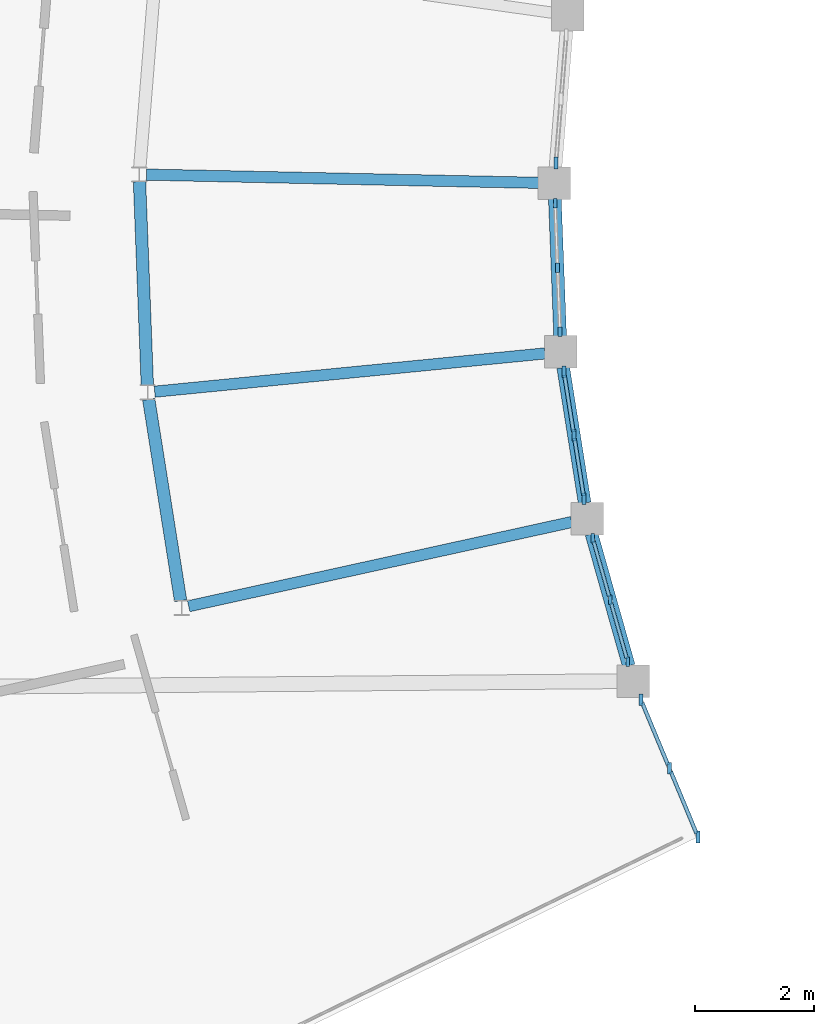
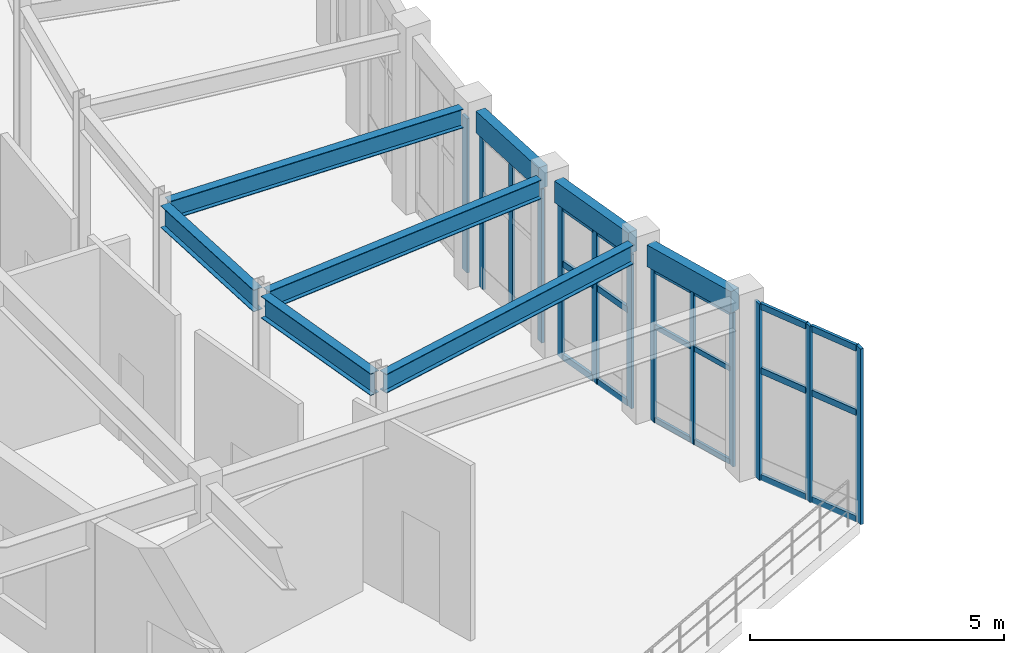
# One storey, part 38 of 112: 31 members, 8 beams, 5 elements without a shape of their own.
"""IFC4 building model written with IfcOpenShell, lengths in metres."""

import ifcopenshell
import ifcopenshell.guid

model = None  # the IFC model being written
_history = None  # IfcOwnerHistory: only IFC2X3 demands one
_inside = {}  # id of a spatial element -> (the spatial element, [elements in it])
_under = {}  # id of a project, library or spatial element -> (it, [spatial elements below it])
_declared = {}  # id of a project -> (the project, [libraries it declares])
_typed = {}  # id of a type object -> (the type object, [elements of that type])
_made_of = {}  # id of a material, layer set ... -> (it, [elements and type objects made of it])


def new_model(schema):
    """Start an empty IFC model of exactly this schema.

    Asked for "IFC4X3", IfcOpenShell would pick the latest addendum, in which some entities
    have other attributes; the version numbers below select the first issue.
    IFC2X3 requires an IfcOwnerHistory on every rooted entity: one is made here for all.
    """
    global model, _history
    if schema == "IFC4X3":
        model = ifcopenshell.file(schema_version=(4, 3, 0, 0))
    else:
        model = ifcopenshell.file(schema=schema)
    _inside.clear()
    _under.clear()
    _declared.clear()
    _typed.clear()
    _made_of.clear()
    _history = None
    if model.schema == "IFC2X3":
        org = make("IfcOrganization", Name="unknown")
        user = make(
            "IfcPersonAndOrganization",
            ThePerson=make("IfcPerson", FamilyName="unknown"),
            TheOrganization=org,
        )
        app = make(
            "IfcApplication",
            ApplicationDeveloper=org,
            Version="unknown",
            ApplicationFullName="unknown",
            ApplicationIdentifier="unknown",
        )
        _history = make(
            "IfcOwnerHistory",
            OwningUser=user,
            OwningApplication=app,
            ChangeAction="ADDED",
            CreationDate=0,
        )
    return model


def make(cls, **values):
    """One entity of the class cls with the attributes given. An attribute that is None is left unset."""
    return model.create_entity(
        cls, **{name: value for name, value in values.items() if value is not None}
    )


def rooted(cls, **values):
    """An entity with a GlobalId (a new one), such as an element, a storey or a relation."""
    return make(cls, GlobalId=ifcopenshell.guid.new(), OwnerHistory=_history, **values)


def si_unit(unit_type, name, prefix=None):
    """IfcSIUnit, for example si_unit("LENGTHUNIT", "METRE", prefix="MILLI")."""
    return make("IfcSIUnit", UnitType=unit_type, Prefix=prefix, Name=name)


def assignment(units):
    """IfcUnitAssignment: the units of a project."""
    return None if units is None else make("IfcUnitAssignment", Units=units)


def point(xyz):
    """IfcCartesianPoint."""
    return None if xyz is None else make("IfcCartesianPoint", Coordinates=xyz)


def direction(xyz):
    """IfcDirection."""
    return None if xyz is None else make("IfcDirection", DirectionRatios=xyz)


def frame(location, z_axis=None, x_axis=None):
    """IfcAxis2Placement3D, a coordinate frame: its origin and axes. An axis left out is left unset."""
    return make(
        "IfcAxis2Placement3D",
        Location=point(location),
        Axis=direction(z_axis),
        RefDirection=direction(x_axis),
    )


def frame_2d(location, x_axis=None):
    """IfcAxis2Placement2D, a coordinate frame in the plane: its origin and x axis."""
    return make(
        "IfcAxis2Placement2D", Location=point(location), RefDirection=direction(x_axis)
    )


def origin():
    """The frame at (0, 0, 0) with its axes left unset."""
    return frame((0.0, 0.0, 0.0))


def origin_2d():
    """The frame at (0, 0) in the plane with its x axis left unset."""
    return frame_2d((0.0, 0.0))


def place(relative_to, where):
    """IfcLocalPlacement: puts the frame where relative to a parent placement (None: the world)."""
    return make(
        "IfcLocalPlacement", PlacementRelTo=relative_to, RelativePlacement=where
    )


def context(
    kind, dimensions, precision=None, world=None, true_north=None, identifier=None
):
    """IfcGeometricRepresentationContext, for example the 3D "Model" context."""
    return make(
        "IfcGeometricRepresentationContext",
        ContextIdentifier=identifier,
        ContextType=kind,
        CoordinateSpaceDimension=dimensions,
        Precision=precision,
        WorldCoordinateSystem=world,
        TrueNorth=true_north,
    )


def subcontext(parent, identifier, kind, view, scale=None):
    """IfcGeometricRepresentationSubContext, for example "Body" below "Model"."""
    return make(
        "IfcGeometricRepresentationSubContext",
        ContextIdentifier=identifier,
        ContextType=kind,
        ParentContext=parent,
        TargetScale=scale,
        TargetView=view,
    )


def project(units=None, contexts=None):
    """IfcProject with its units and contexts."""
    return rooted(
        "IfcProject",
        Name="project",
        RepresentationContexts=contexts,
        UnitsInContext=assignment(units),
    )


def spatial(cls, under=None, at=None, **own):
    """A site, building, storey or space (cls), placed at a placement, below another one or the project."""
    s = rooted(cls, ObjectPlacement=at, **own)
    if under is not None:
        _under.setdefault(under.id(), (under, []))[1].append(s)
    return s


def profile(cls, at=None, kind="AREA", **sizes):
    """A parametric profile (cls). Its sizes go by their IFC names, for example OverallWidth=200.0."""
    return make(cls, ProfileType=kind, Position=at, **sizes)


def rectangle(**sizes):
    """IfcRectangleProfileDef."""
    return profile("IfcRectangleProfileDef", **sizes)


def i_section(**sizes):
    """IfcIShapeProfileDef."""
    return profile("IfcIShapeProfileDef", **sizes)


def extrude(swept, where, along, depth):
    """IfcExtrudedAreaSolid: the profile swept, set in the frame where, extruded along a direction by depth."""
    return make(
        "IfcExtrudedAreaSolid",
        SweptArea=swept,
        Position=where,
        ExtrudedDirection=direction(along),
        Depth=depth,
    )


def shape(context_of_items, identifier, shape_type, items):
    """IfcShapeRepresentation: the items that make up one representation, for example the "Body"."""
    return make(
        "IfcShapeRepresentation",
        ContextOfItems=context_of_items,
        RepresentationIdentifier=identifier,
        RepresentationType=shape_type,
        Items=items,
    )


def material(Name=None, Category=None):
    """IfcMaterial."""
    return make("IfcMaterial", Name=Name, Category=Category)


def material_profile(
    of_material, cross_section, Name=None, Category=None, Priority=None
):
    """IfcMaterialProfile: a cross section and its material."""
    return make(
        "IfcMaterialProfile",
        Name=Name,
        Material=of_material,
        Profile=cross_section,
        Priority=Priority,
        Category=Category,
    )


def profile_set(profiles, Name=None, composite=None):
    """IfcMaterialProfileSet."""
    return make(
        "IfcMaterialProfileSet",
        Name=Name,
        MaterialProfiles=profiles,
        CompositeProfile=composite,
    )


def made_of(thing, what):
    """Note that an element or type object is made of a material, layer set ...; save() writes the relation."""
    if what is not None:
        _made_of.setdefault(what.id(), (what, []))[1].append(thing)
    return thing


def type_object(cls, material=None, **own):
    """A type object (cls), such as IfcWallType, which elements share."""
    return made_of(rooted(cls, **own), material)


def element(
    cls,
    number,
    at=None,
    inside=None,
    cuts=None,
    type_object=None,
    material=None,
    context=None,
    identifier="Body",
    shape_type=None,
    held_by="IfcProductDefinitionShape",
    body=None,
    shapes=None,
    **own,
):
    """One element of the class cls, such as IfcWall. Its Tag is "e" and its number.

    at: its placement. inside: the storey or other place that contains it. cuts: it is an
    opening in that element (IfcRelVoidsElement). A single representation is given by context,
    identifier, shape_type and body (its items); several are given by shapes. held_by: the class
    of the entity that holds the representations. save() writes the other relations.
    """
    e = rooted(cls, Tag="e%d" % number, ObjectPlacement=at, **own)
    if body is not None:
        shapes = [shape(context, identifier, shape_type, body)]
    if shapes is not None:
        e.Representation = make(held_by, Representations=shapes)
    if inside is not None:
        _inside.setdefault(inside.id(), (inside, []))[1].append(e)
    if cuts is not None:
        rooted(
            "IfcRelVoidsElement", RelatingBuildingElement=cuts, RelatedOpeningElement=e
        )
    if type_object is not None:
        _typed.setdefault(type_object.id(), (type_object, []))[1].append(e)
    return made_of(e, material)


def aggregate(whole, parts):
    """IfcRelAggregates: a whole, such as a stair, and the parts it consists of."""
    return rooted("IfcRelAggregates", RelatingObject=whole, RelatedObjects=parts)


def save(model, path):
    """Write the relations noted so far, then the file.

    IfcRelAggregates (storeys below a building ...), IfcRelContainedInSpatialStructure (elements
    in a storey), IfcRelDefinesByType, IfcRelAssociatesMaterial and IfcRelDeclares: one each for
    every whole, place, type object, material and project.
    """
    for whole, parts in _under.values():
        aggregate(whole, parts)
    for where, things in _inside.values():
        rooted(
            "IfcRelContainedInSpatialStructure",
            RelatedElements=things,
            RelatingStructure=where,
        )
    for kind, things in _typed.values():
        rooted("IfcRelDefinesByType", RelatedObjects=things, RelatingType=kind)
    for what, things in _made_of.values():
        rooted("IfcRelAssociatesMaterial", RelatedObjects=things, RelatingMaterial=what)
    for by, libraries in _declared.values():
        rooted("IfcRelDeclares", RelatingContext=by, RelatedDefinitions=libraries)
    model.write(path)


model = new_model("IFC4")

# Units and contexts
model_context = context("Model", 3, precision=1e-05, world=origin(), true_north=direction((0.0, 1.0)))
body_context = subcontext(model_context, "Body", "Model", "MODEL_VIEW")
ifc_project = project(units=[si_unit("LENGTHUNIT", "METRE"), si_unit("AREAUNIT", "SQUARE_METRE"), si_unit("VOLUMEUNIT", "CUBIC_METRE"), si_unit("PLANEANGLEUNIT", "RADIAN"), si_unit("MASSUNIT", "GRAM", prefix="KILO")], contexts=[model_context])

# Site, building, storey
site_placement = place(None, origin())
site = spatial("IfcSite", under=ifc_project, at=site_placement, CompositionType="ELEMENT")
building_placement = place(site_placement, origin())
building = spatial("IfcBuilding", under=site, at=building_placement, Name="Cinderbank Siding Concert Hall", CompositionType="ELEMENT")
storey_placement = place(building_placement, frame((0.0, 0.0, 10.199951171875)))
storey = spatial("IfcBuildingStorey", under=building, at=storey_placement, Name="L03", CompositionType="ELEMENT", Elevation=10.199951171875)

# Beams
ifc_material_1 = material(Name="Structural steel AS/NZS 3679.1 Grade 350 (340 MPa)", Category="steel")
ifc_material_profile_1 = material_profile(ifc_material_1, i_section(OverallWidth=0.18994140625, OverallDepth=0.45751953125, WebThickness=0.009033203125, FlangeThickness=0.014404296875, at=origin_2d()), Name="460UB74.6", Category="LoadBearing")
ifc_profile_set_1 = profile_set([ifc_material_profile_1], Name="Structural steel AS/NZS 3679.1 Grade 350 (340 MPa)")
beam_type_1 = type_object("IfcBeamType", Name="BM-UB460 460UB74.6", PredefinedType="BEAM", material=ifc_profile_set_1)
for number, where, z_axis, x_axis, name in (
    (1, (31.73828125, 68.50830078125, 4.013427734375), (-0.999780889106, 0.020932600869, 0.0), (-0.020932600869, -0.999780889106, 0.0), "L03 Beam BM-UB460 #1014"),
    (2, (31.848876953125, 65.6318359375, 4.013427734375), (-0.99522831424, -0.097573574988, 0.0), (0.097573574988, -0.99522831424, 0.0), "L03 Beam BM-UB460 #1017"),
    (3, (32.299072265625, 62.7890625, 4.013427734375), (-0.976668476388, -0.214752618679, 0.0), (0.214752618679, -0.976668476388, 0.0), "L03 Beam BM-UB460 #1020"),
):
    element("IfcBeam", number, at=place(storey_placement, frame(where, z_axis=z_axis, x_axis=x_axis)), inside=storey, type_object=beam_type_1, Name=name, PredefinedType="BEAM", context=body_context, shape_type="SweptSolid", body=[
        extrude(i_section(OverallWidth=0.18994140625, OverallDepth=0.45751953125, WebThickness=0.009033203125, FlangeThickness=0.014404296875, at=origin_2d()), origin(), (0.0, 0.0, 1.0), 6.613037109375),
    ])
ifc_material_profile_2 = material_profile(ifc_material_1, i_section(OverallWidth=0.208984375, OverallDepth=0.5283203125, WebThickness=0.009521484375, FlangeThickness=0.01318359375, at=origin_2d()), Name="530UB82.0", Category="LoadBearing")
ifc_profile_set_2 = profile_set([ifc_material_profile_2], Name="Structural steel AS/NZS 3679.1 Grade 350 (340 MPa)")
beam_type_2 = type_object("IfcBeamType", Name="BM-UB530 530UB82.0", PredefinedType="BEAM", material=ifc_profile_set_2)
for number, where, z_axis, x_axis, name in (
    (4, (25.011474609375, 68.529296875, 3.97802734375), (0.038356740057, -0.999264109479, 0.0), (0.999264109479, 0.038356740057, 0.0), "L03 Beam BM-UB530 #1016"),
    (5, (25.166748046875, 64.8564453125, 3.97802734375), (0.15641120725, -0.987692023986, 0.0), (0.987692023986, 0.15641120725, 0.0), "L03 Beam BM-UB530 #1019"),
):
    element("IfcBeam", number, at=place(storey_placement, frame(where, z_axis=z_axis, x_axis=x_axis)), inside=storey, type_object=beam_type_2, Name=name, PredefinedType="BEAM", context=body_context, shape_type="SweptSolid", body=[
        extrude(i_section(OverallWidth=0.208984375, OverallDepth=0.5283203125, WebThickness=0.009521484375, FlangeThickness=0.01318359375, at=origin_2d()), origin(), (0.0, 0.0, 1.0), 3.43701171875),
    ])

# Curtain wall, members
ifc_material_2 = material(Name="Anodised aluminium alloy 6063-T6", Category="aluminium")
curtain_wall_type_1 = type_object("IfcCurtainWallType", Name="CW-14 Unitised Acoustic Curtain Wall 4200x3800", PredefinedType="NOTDEFINED", material=ifc_material_2)
curtain_wall_1_placement = place(storey_placement, origin())
curtain_wall_1 = element("IfcCurtainWall", 6, at=curtain_wall_1_placement, inside=storey, type_object=curtain_wall_type_1, Name="L03 Curtain Wall CW-14 #134", PredefinedType="NOTDEFINED")
ifc_material_profile_3 = material_profile(ifc_material_2, rectangle(XDim=0.06005859375, YDim=0.159912109375, at=origin_2d()), Name="ALU-MULL-60x160", Category="LoadBearing")
ifc_profile_set_3 = profile_set([ifc_material_profile_3], Name="Anodised aluminium alloy 6063-T6")
member_type_1 = type_object("IfcMemberType", Name="CW-ML1 Mullion 60x160", PredefinedType="MULLION", material=ifc_profile_set_3)
member_1_placement = place(storey_placement, frame((32.018310546875, 68.162841796875, 0.0), z_axis=(0.0, 0.0, 1.0), x_axis=(1.0, 0.0, 0.0)))
member_1 = element("IfcMember", 7, at=member_1_placement, type_object=member_type_1, Name="CW-L03-134 Mullion 0", PredefinedType="MULLION", context=body_context, shape_type="SweptSolid", body=[
    extrude(rectangle(XDim=0.06005859375, YDim=0.159912109375, at=origin_2d()), origin(), (0.0, 0.0, 1.0), 3.70703125),
])
member_2_placement = place(storey_placement, frame((32.059814453125, 67.080322265625, 0.0), z_axis=(0.0, 0.0, 1.0), x_axis=(1.0, 0.0, 0.0)))
member_2 = element("IfcMember", 8, at=member_2_placement, type_object=member_type_1, Name="CW-L03-134 Mullion 1", PredefinedType="MULLION", context=body_context, shape_type="SweptSolid", body=[
    extrude(rectangle(XDim=0.06005859375, YDim=0.159912109375, at=origin_2d()), origin(), (0.0, 0.0, 1.0), 3.70703125),
])
member_3_placement = place(storey_placement, frame((32.1015625, 65.997802734375, 0.0), z_axis=(0.0, 0.0, 1.0), x_axis=(1.0, 0.0, 0.0)))
member_3 = element("IfcMember", 9, at=member_3_placement, type_object=member_type_1, Name="CW-L03-134 Mullion 2", PredefinedType="MULLION", context=body_context, shape_type="SweptSolid", body=[
    extrude(rectangle(XDim=0.06005859375, YDim=0.159912109375, at=origin_2d()), origin(), (0.0, 0.0, 1.0), 3.70703125),
])
aggregate(curtain_wall_1, [member_1, member_2, member_3])

curtain_wall_2_placement = place(storey_placement, origin())
curtain_wall_2 = element("IfcCurtainWall", 10, at=curtain_wall_2_placement, inside=storey, type_object=curtain_wall_type_1, Name="L03 Curtain Wall CW-14 #136", PredefinedType="NOTDEFINED")
member_4_placement = place(storey_placement, frame((32.652587890625, 62.519287109375, 0.0), z_axis=(0.0, 0.0, 1.0), x_axis=(1.0, 0.0, 0.0)))
member_4 = element("IfcMember", 11, at=member_4_placement, type_object=member_type_1, Name="CW-L03-136 Mullion 0", PredefinedType="MULLION", context=body_context, shape_type="SweptSolid", body=[
    extrude(rectangle(XDim=0.06005859375, YDim=0.159912109375, at=origin_2d()), origin(), (0.0, 0.0, 1.0), 3.70703125),
])
member_5_placement = place(storey_placement, frame((32.947509765625, 61.476806640625, 0.0), z_axis=(0.0, 0.0, 1.0), x_axis=(1.0, 0.0, 0.0)))
member_5 = element("IfcMember", 12, at=member_5_placement, type_object=member_type_1, Name="CW-L03-136 Mullion 1", PredefinedType="MULLION", context=body_context, shape_type="SweptSolid", body=[
    extrude(rectangle(XDim=0.06005859375, YDim=0.159912109375, at=origin_2d()), origin(), (0.0, 0.0, 1.0), 3.70703125),
])
member_6_placement = place(storey_placement, frame((33.242431640625, 60.434326171875, 0.0), z_axis=(0.0, 0.0, 1.0), x_axis=(1.0, 0.0, 0.0)))
member_6 = element("IfcMember", 13, at=member_6_placement, type_object=member_type_1, Name="CW-L03-136 Mullion 2", PredefinedType="MULLION", context=body_context, shape_type="SweptSolid", body=[
    extrude(rectangle(XDim=0.06005859375, YDim=0.159912109375, at=origin_2d()), origin(), (0.0, 0.0, 1.0), 3.70703125),
])

# Curtain wall, member
curtain_wall_type_2 = type_object("IfcCurtainWallType", Name="CW-13 Unitised Acoustic Curtain Wall 4200x4400", PredefinedType="NOTDEFINED", material=ifc_material_2)
curtain_wall_3_placement = place(storey_placement, origin())
curtain_wall_3 = element("IfcCurtainWall", 14, at=curtain_wall_3_placement, inside=storey, type_object=curtain_wall_type_2, Name="L03 Curtain Wall CW-13 #133", PredefinedType="NOTDEFINED")
ifc_material_profile_4 = material_profile(ifc_material_2, rectangle(XDim=0.06494140625, YDim=0.199951171875, at=origin_2d()), Name="ALU-MULL-65x200", Category="LoadBearing")
ifc_profile_set_4 = profile_set([ifc_material_profile_4], Name="Anodised aluminium alloy 6063-T6")
member_type_2 = type_object("IfcMemberType", Name="CW-ML2 Mullion 65x200", PredefinedType="MULLION", material=ifc_profile_set_4)
member_7_placement = place(storey_placement, frame((32.03271484375, 68.841552734375, 0.0), z_axis=(0.0, 0.0, 1.0), x_axis=(1.0, 0.0, 0.0)))
member_7 = element("IfcMember", 15, at=member_7_placement, type_object=member_type_2, Name="CW-L03-133 Mullion 2", PredefinedType="MULLION", context=body_context, shape_type="SweptSolid", body=[
    extrude(rectangle(XDim=0.06494140625, YDim=0.199951171875, at=origin_2d()), origin(), (0.0, 0.0, 1.0), 3.70703125),
])
aggregate(curtain_wall_3, [member_7])

# Curtain wall, members
curtain_wall_4_placement = place(storey_placement, origin())
curtain_wall_4 = element("IfcCurtainWall", 16, at=curtain_wall_4_placement, inside=storey, type_object=curtain_wall_type_2, Name="L03 Curtain Wall CW-13 #135", PredefinedType="NOTDEFINED")
member_8_placement = place(storey_placement, frame((32.167724609375, 65.322265625, 0.0), z_axis=(0.0, 0.0, 1.0), x_axis=(1.0, 0.0, 0.0)))
member_8 = element("IfcMember", 17, at=member_8_placement, type_object=member_type_2, Name="CW-L03-135 Mullion 0", PredefinedType="MULLION", context=body_context, shape_type="SweptSolid", body=[
    extrude(rectangle(XDim=0.06494140625, YDim=0.199951171875, at=origin_2d()), origin(), (0.0, 0.0, 1.0), 3.70703125),
])
member_9_placement = place(storey_placement, frame((32.337158203125, 64.252197265625, 0.0), z_axis=(0.0, 0.0, 1.0), x_axis=(1.0, 0.0, 0.0)))
member_9 = element("IfcMember", 18, at=member_9_placement, type_object=member_type_2, Name="CW-L03-135 Mullion 1", PredefinedType="MULLION", context=body_context, shape_type="SweptSolid", body=[
    extrude(rectangle(XDim=0.06494140625, YDim=0.199951171875, at=origin_2d()), origin(), (0.0, 0.0, 1.0), 3.70703125),
])
member_10_placement = place(storey_placement, frame((32.506591796875, 63.18212890625, 0.0), z_axis=(0.0, 0.0, 1.0), x_axis=(1.0, 0.0, 0.0)))
member_10 = element("IfcMember", 19, at=member_10_placement, type_object=member_type_2, Name="CW-L03-135 Mullion 2", PredefinedType="MULLION", context=body_context, shape_type="SweptSolid", body=[
    extrude(rectangle(XDim=0.06494140625, YDim=0.199951171875, at=origin_2d()), origin(), (0.0, 0.0, 1.0), 3.70703125),
])

curtain_wall_5_placement = place(storey_placement, origin())
curtain_wall_5 = element("IfcCurtainWall", 20, at=curtain_wall_5_placement, inside=storey, type_object=curtain_wall_type_2, Name="L03 Curtain Wall CW-13 #137", PredefinedType="NOTDEFINED")
member_11_placement = place(storey_placement, frame((33.4658203125, 59.793212890625, 0.0), z_axis=(0.0, 0.0, 1.0), x_axis=(1.0, 0.0, 0.0)))
member_11 = element("IfcMember", 21, at=member_11_placement, type_object=member_type_2, Name="CW-L03-137 Mullion 0", PredefinedType="MULLION", context=body_context, shape_type="SweptSolid", body=[
    extrude(rectangle(XDim=0.06494140625, YDim=0.199951171875, at=origin_2d()), origin(), (0.0, 0.0, 1.0), 4.22509765625),
])
member_12_placement = place(storey_placement, frame((33.947265625, 58.63623046875, 0.0), z_axis=(0.0, 0.0, 1.0), x_axis=(1.0, 0.0, 0.0)))
member_12 = element("IfcMember", 22, at=member_12_placement, type_object=member_type_2, Name="CW-L03-137 Mullion 1", PredefinedType="MULLION", context=body_context, shape_type="SweptSolid", body=[
    extrude(rectangle(XDim=0.06494140625, YDim=0.199951171875, at=origin_2d()), origin(), (0.0, 0.0, 1.0), 4.22509765625),
])
member_13_placement = place(storey_placement, frame((34.428955078125, 57.47900390625, 0.0), z_axis=(0.0, 0.0, 1.0), x_axis=(1.0, 0.0, 0.0)))
member_13 = element("IfcMember", 23, at=member_13_placement, type_object=member_type_2, Name="CW-L03-137 Mullion 2", PredefinedType="MULLION", context=body_context, shape_type="SweptSolid", body=[
    extrude(rectangle(XDim=0.06494140625, YDim=0.199951171875, at=origin_2d()), origin(), (0.0, 0.0, 1.0), 4.22509765625),
])

# Member
ifc_material_profile_5 = material_profile(ifc_material_2, rectangle(XDim=0.06005859375, YDim=0.1201171875, at=origin_2d()), Name="ALU-TRAN-60x120", Category="LoadBearing")
ifc_profile_set_5 = profile_set([ifc_material_profile_5], Name="Anodised aluminium alloy 6063-T6")
member_type_3 = type_object("IfcMemberType", Name="CW-TR1 Transom 60x120", PredefinedType="USERDEFINED", material=ifc_profile_set_5)
member_14_placement = place(storey_placement, frame((32.667236328125, 62.467041015625, 0.06005859375), z_axis=(0.272173747162, -0.962248123592, 0.0), x_axis=(0.962248123592, 0.272173747162, 0.0)))
member_14 = element("IfcMember", 24, at=member_14_placement, type_object=member_type_3, Name="CW-L03-136 Transom 0-0", ObjectType="TRANSOM", PredefinedType="USERDEFINED", context=body_context, shape_type="SweptSolid", body=[
    extrude(rectangle(XDim=0.06005859375, YDim=0.1201171875, at=origin_2d()), origin(), (0.0, 0.0, 1.0), 0.97509765625),
])

member_15_placement = place(storey_placement, frame((32.667236328125, 62.467041015625, 2.29833984375), z_axis=(0.272173747162, -0.962248123592, 0.0), x_axis=(0.962248123592, 0.272173747162, 0.0)))
member_15 = element("IfcMember", 25, at=member_15_placement, type_object=member_type_3, Name="CW-L03-136 Transom 0-1", ObjectType="TRANSOM", PredefinedType="USERDEFINED", context=body_context, shape_type="SweptSolid", body=[
    extrude(rectangle(XDim=0.06005859375, YDim=0.1201171875, at=origin_2d()), origin(), (0.0, 0.0, 1.0), 0.97509765625),
])

member_16_placement = place(storey_placement, frame((32.667236328125, 62.467041015625, 3.64697265625), z_axis=(0.272173747162, -0.962248123592, 0.0), x_axis=(0.962248123592, 0.272173747162, 0.0)))
member_16 = element("IfcMember", 26, at=member_16_placement, type_object=member_type_3, Name="CW-L03-136 Transom 0-2", ObjectType="TRANSOM", PredefinedType="USERDEFINED", context=body_context, shape_type="SweptSolid", body=[
    extrude(rectangle(XDim=0.06005859375, YDim=0.1201171875, at=origin_2d()), origin(), (0.0, 0.0, 1.0), 0.97509765625),
])

member_17_placement = place(storey_placement, frame((32.962158203125, 61.4248046875, 0.06005859375), z_axis=(0.272405564774, -0.962182523371, 0.0), x_axis=(0.962182523371, 0.272405564774, 0.0)))
member_17 = element("IfcMember", 27, at=member_17_placement, type_object=member_type_3, Name="CW-L03-136 Transom 1-0", ObjectType="TRANSOM", PredefinedType="USERDEFINED", context=body_context, shape_type="SweptSolid", body=[
    extrude(rectangle(XDim=0.06005859375, YDim=0.1201171875, at=origin_2d()), origin(), (0.0, 0.0, 1.0), 0.97509765625),
])

member_18_placement = place(storey_placement, frame((32.962158203125, 61.4248046875, 2.29833984375), z_axis=(0.272405564774, -0.962182523371, 0.0), x_axis=(0.962182523371, 0.272405564774, 0.0)))
member_18 = element("IfcMember", 28, at=member_18_placement, type_object=member_type_3, Name="CW-L03-136 Transom 1-1", ObjectType="TRANSOM", PredefinedType="USERDEFINED", context=body_context, shape_type="SweptSolid", body=[
    extrude(rectangle(XDim=0.06005859375, YDim=0.1201171875, at=origin_2d()), origin(), (0.0, 0.0, 1.0), 0.97509765625),
])

member_19_placement = place(storey_placement, frame((32.962158203125, 61.4248046875, 3.64697265625), z_axis=(0.272405564774, -0.962182523371, 0.0), x_axis=(0.962182523371, 0.272405564774, 0.0)))
member_19 = element("IfcMember", 29, at=member_19_placement, type_object=member_type_3, Name="CW-L03-136 Transom 1-2", ObjectType="TRANSOM", PredefinedType="USERDEFINED", context=body_context, shape_type="SweptSolid", body=[
    extrude(rectangle(XDim=0.06005859375, YDim=0.1201171875, at=origin_2d()), origin(), (0.0, 0.0, 1.0), 0.97509765625),
])

aggregate(curtain_wall_2, [member_4, member_5, member_6, member_14, member_15, member_16, member_17, member_18, member_19])

ifc_material_profile_6 = material_profile(ifc_material_2, rectangle(XDim=0.06494140625, YDim=0.14990234375, at=origin_2d()), Name="ALU-TRAN-65x150", Category="LoadBearing")
ifc_profile_set_6 = profile_set([ifc_material_profile_6], Name="Anodised aluminium alloy 6063-T6")
member_type_4 = type_object("IfcMemberType", Name="CW-TR2 Transom 65x150", PredefinedType="USERDEFINED", material=ifc_profile_set_6)
member_20_placement = place(storey_placement, frame((32.17626953125, 65.268798828125, 0.06005859375), z_axis=(0.156232564152, -0.987720297401, 0.0), x_axis=(0.987720297401, 0.156232564152, 0.0)))
member_20 = element("IfcMember", 30, at=member_20_placement, type_object=member_type_4, Name="CW-L03-135 Transom 0-0", ObjectType="TRANSOM", PredefinedType="USERDEFINED", context=body_context, shape_type="SweptSolid", body=[
    extrude(rectangle(XDim=0.06494140625, YDim=0.14990234375, at=origin_2d()), origin(), (0.0, 0.0, 1.0), 0.97509765625),
])

member_21_placement = place(storey_placement, frame((32.17626953125, 65.268798828125, 2.29833984375), z_axis=(0.156232564152, -0.987720297401, 0.0), x_axis=(0.987720297401, 0.156232564152, 0.0)))
member_21 = element("IfcMember", 31, at=member_21_placement, type_object=member_type_4, Name="CW-L03-135 Transom 0-1", ObjectType="TRANSOM", PredefinedType="USERDEFINED", context=body_context, shape_type="SweptSolid", body=[
    extrude(rectangle(XDim=0.06494140625, YDim=0.14990234375, at=origin_2d()), origin(), (0.0, 0.0, 1.0), 0.97509765625),
])

member_22_placement = place(storey_placement, frame((32.17626953125, 65.268798828125, 3.64697265625), z_axis=(0.156232564152, -0.987720297401, 0.0), x_axis=(0.987720297401, 0.156232564152, 0.0)))
member_22 = element("IfcMember", 32, at=member_22_placement, type_object=member_type_4, Name="CW-L03-135 Transom 0-2", ObjectType="TRANSOM", PredefinedType="USERDEFINED", context=body_context, shape_type="SweptSolid", body=[
    extrude(rectangle(XDim=0.06494140625, YDim=0.14990234375, at=origin_2d()), origin(), (0.0, 0.0, 1.0), 0.97509765625),
])

member_23_placement = place(storey_placement, frame((32.345703125, 64.19873046875, 0.06005859375), z_axis=(0.156476811261, -0.987681632682, 0.0), x_axis=(0.987681632682, 0.156476811261, 0.0)))
member_23 = element("IfcMember", 33, at=member_23_placement, type_object=member_type_4, Name="CW-L03-135 Transom 1-0", ObjectType="TRANSOM", PredefinedType="USERDEFINED", context=body_context, shape_type="SweptSolid", body=[
    extrude(rectangle(XDim=0.06494140625, YDim=0.14990234375, at=origin_2d()), origin(), (0.0, 0.0, 1.0), 0.97509765625),
])

member_24_placement = place(storey_placement, frame((32.345703125, 64.19873046875, 2.29833984375), z_axis=(0.156476811261, -0.987681632682, 0.0), x_axis=(0.987681632682, 0.156476811261, 0.0)))
member_24 = element("IfcMember", 34, at=member_24_placement, type_object=member_type_4, Name="CW-L03-135 Transom 1-1", ObjectType="TRANSOM", PredefinedType="USERDEFINED", context=body_context, shape_type="SweptSolid", body=[
    extrude(rectangle(XDim=0.06494140625, YDim=0.14990234375, at=origin_2d()), origin(), (0.0, 0.0, 1.0), 0.97509765625),
])

member_25_placement = place(storey_placement, frame((32.345703125, 64.19873046875, 3.64697265625), z_axis=(0.156476811261, -0.987681632682, 0.0), x_axis=(0.987681632682, 0.156476811261, 0.0)))
member_25 = element("IfcMember", 35, at=member_25_placement, type_object=member_type_4, Name="CW-L03-135 Transom 1-2", ObjectType="TRANSOM", PredefinedType="USERDEFINED", context=body_context, shape_type="SweptSolid", body=[
    extrude(rectangle(XDim=0.06494140625, YDim=0.14990234375, at=origin_2d()), origin(), (0.0, 0.0, 1.0), 0.97509765625),
])

aggregate(curtain_wall_4, [member_8, member_9, member_10, member_20, member_21, member_22, member_23, member_24, member_25])

member_26_placement = place(storey_placement, frame((33.48974609375, 59.735595703125, 0.06005859375), z_axis=(0.384154313051, -0.923268901114, 0.0), x_axis=(0.923268901114, 0.384154313051, 0.0)))
member_26 = element("IfcMember", 36, at=member_26_placement, type_object=member_type_4, Name="CW-L03-137 Transom 0-0", ObjectType="TRANSOM", PredefinedType="USERDEFINED", context=body_context, shape_type="SweptSolid", body=[
    extrude(rectangle(XDim=0.06494140625, YDim=0.14990234375, at=origin_2d()), origin(), (0.0, 0.0, 1.0), 1.128173828125),
])

member_27_placement = place(storey_placement, frame((33.48974609375, 59.735595703125, 2.61962890625), z_axis=(0.384154313051, -0.923268901114, 0.0), x_axis=(0.923268901114, 0.384154313051, 0.0)))
member_27 = element("IfcMember", 37, at=member_27_placement, type_object=member_type_4, Name="CW-L03-137 Transom 0-1", ObjectType="TRANSOM", PredefinedType="USERDEFINED", context=body_context, shape_type="SweptSolid", body=[
    extrude(rectangle(XDim=0.06494140625, YDim=0.14990234375, at=origin_2d()), origin(), (0.0, 0.0, 1.0), 1.128173828125),
])

member_28_placement = place(storey_placement, frame((33.48974609375, 59.735595703125, 4.1650390625), z_axis=(0.384154313051, -0.923268901114, 0.0), x_axis=(0.923268901114, 0.384154313051, 0.0)))
member_28 = element("IfcMember", 38, at=member_28_placement, type_object=member_type_4, Name="CW-L03-137 Transom 0-2", ObjectType="TRANSOM", PredefinedType="USERDEFINED", context=body_context, shape_type="SweptSolid", body=[
    extrude(rectangle(XDim=0.06494140625, YDim=0.14990234375, at=origin_2d()), origin(), (0.0, 0.0, 1.0), 1.128173828125),
])

member_29_placement = place(storey_placement, frame((33.971435546875, 58.578369140625, 0.06005859375), z_axis=(0.38423108818, -0.923236952725, 0.0), x_axis=(0.923236952725, 0.38423108818, 0.0)))
member_29 = element("IfcMember", 39, at=member_29_placement, type_object=member_type_4, Name="CW-L03-137 Transom 1-0", ObjectType="TRANSOM", PredefinedType="USERDEFINED", context=body_context, shape_type="SweptSolid", body=[
    extrude(rectangle(XDim=0.06494140625, YDim=0.14990234375, at=origin_2d()), origin(), (0.0, 0.0, 1.0), 1.1279296875),
])

member_30_placement = place(storey_placement, frame((33.971435546875, 58.578369140625, 2.61962890625), z_axis=(0.38423108818, -0.923236952725, 0.0), x_axis=(0.923236952725, 0.38423108818, 0.0)))
member_30 = element("IfcMember", 40, at=member_30_placement, type_object=member_type_4, Name="CW-L03-137 Transom 1-1", ObjectType="TRANSOM", PredefinedType="USERDEFINED", context=body_context, shape_type="SweptSolid", body=[
    extrude(rectangle(XDim=0.06494140625, YDim=0.14990234375, at=origin_2d()), origin(), (0.0, 0.0, 1.0), 1.1279296875),
])

member_31_placement = place(storey_placement, frame((33.971435546875, 58.578369140625, 4.1650390625), z_axis=(0.38423108818, -0.923236952725, 0.0), x_axis=(0.923236952725, 0.38423108818, 0.0)))
member_31 = element("IfcMember", 41, at=member_31_placement, type_object=member_type_4, Name="CW-L03-137 Transom 1-2", ObjectType="TRANSOM", PredefinedType="USERDEFINED", context=body_context, shape_type="SweptSolid", body=[
    extrude(rectangle(XDim=0.06494140625, YDim=0.14990234375, at=origin_2d()), origin(), (0.0, 0.0, 1.0), 1.1279296875),
])

aggregate(curtain_wall_5, [member_11, member_12, member_13, member_26, member_27, member_28, member_29, member_30, member_31])

# Beams
ifc_material_3 = material(Name="Spotted gum glulam timber GL18 (42 MPa)", Category="wood")
ifc_material_profile_7 = material_profile(ifc_material_3, rectangle(XDim=0.215087890625, YDim=0.52001953125, at=origin_2d()), Name="GL18-215x520", Category="LoadBearing")
ifc_profile_set_7 = profile_set([ifc_material_profile_7], Name="Spotted gum glulam timber GL18 (42 MPa)")
beam_type_3 = type_object("IfcBeamType", Name="SP-GL520 GL18-215x520", PredefinedType="SPANDREL", material=ifc_profile_set_7)
for number, where, z_axis, x_axis, name in (
    (42, (32.015380859375, 68.23583984375, 3.98193359375), (0.038425013846, -0.999261486454, 0.0), (0.999261486454, 0.038425013846, 0.0), "L03 Beam SP-GL520 #1015"),
    (43, (32.15625, 65.394287109375, 3.98193359375), (0.15645044565, -0.987685809383, 0.0), (0.987685809383, 0.15645044565, 0.0), "L03 Beam SP-GL520 #1018"),
):
    element("IfcBeam", number, at=place(storey_placement, frame(where, z_axis=z_axis, x_axis=x_axis)), inside=storey, type_object=beam_type_3, Name=name, PredefinedType="SPANDREL", context=body_context, shape_type="SweptSolid", body=[
        extrude(rectangle(XDim=0.215087890625, YDim=0.52001953125, at=origin_2d()), origin(), (0.0, 0.0, 1.0), 2.312744140625),
    ])
beam_placement = place(storey_placement, frame((32.632568359375, 62.589599609375, 3.98193359375), z_axis=(0.27222473788, -0.962233699309, 0.0), x_axis=(0.962233699309, 0.27222473788, 0.0)))
element("IfcBeam", 44, at=beam_placement, inside=storey, type_object=beam_type_3, Name="L03 Beam SP-GL520 #1021", PredefinedType="SPANDREL", context=body_context, shape_type="SweptSolid", body=[
    extrude(rectangle(XDim=0.215087890625, YDim=0.52001953125, at=origin_2d()), origin(), (0.0, 0.0, 1.0), 2.31298828125),
])

save(model, "model.ifc")
